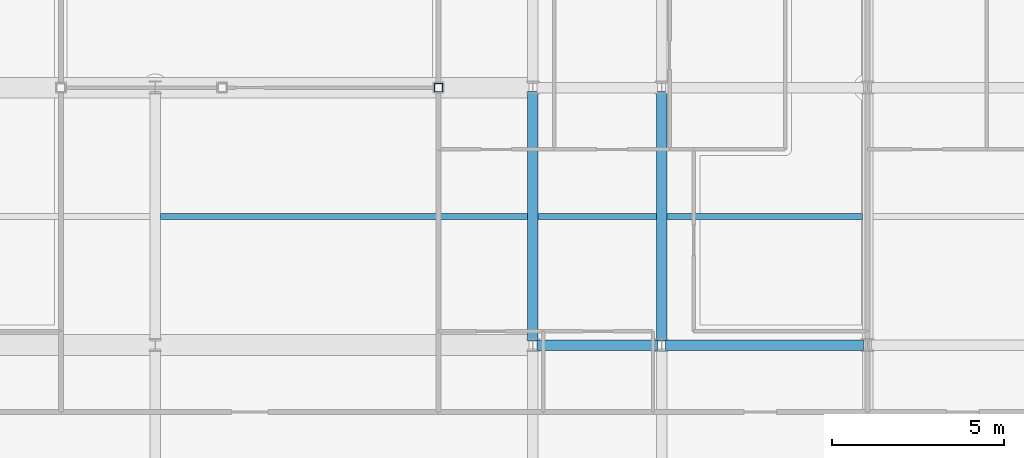
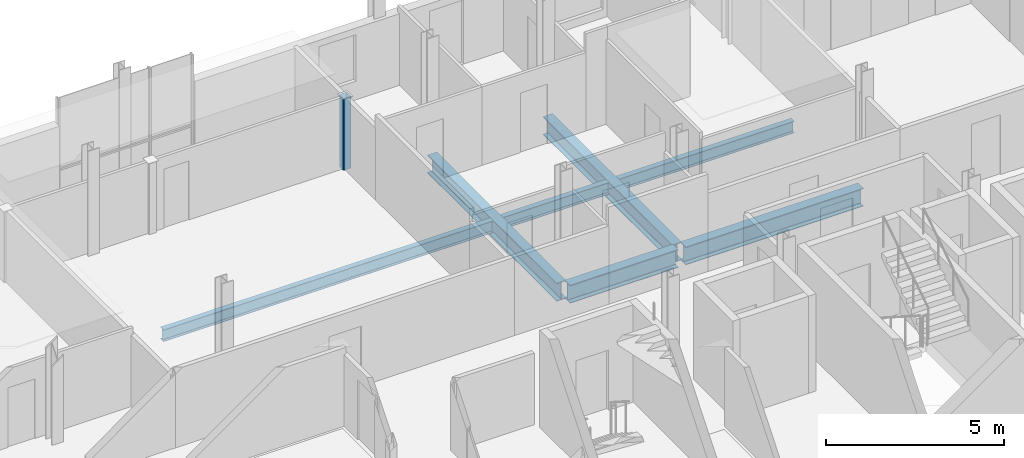
# One storey, part 15 of 35: 7 beams, 1 member.
"""IFC4 building model written with IfcOpenShell, lengths in metres."""

from ifc_helpers import new_model, si_unit, direction, frame, origin, origin_2d, place, context, subcontext, project, spatial, hollow_rectangle, i_section, extrude, material, material_profile, profile_set, type_object, element, save


model = new_model("IFC4")

# Units and contexts
model_context = context("Model", 3, precision=1e-05, world=origin(), true_north=direction((0.0, 1.0)))
body_context = subcontext(model_context, "Body", "Model", "MODEL_VIEW")
ifc_project = project(units=[si_unit("LENGTHUNIT", "METRE"), si_unit("AREAUNIT", "SQUARE_METRE"), si_unit("VOLUMEUNIT", "CUBIC_METRE"), si_unit("PLANEANGLEUNIT", "RADIAN"), si_unit("MASSUNIT", "GRAM", prefix="KILO")], contexts=[model_context])

# Site, building, storey
site_placement = place(None, origin())
site = spatial("IfcSite", under=ifc_project, at=site_placement, CompositionType="ELEMENT")
building_placement = place(site_placement, origin())
building = spatial("IfcBuilding", under=site, at=building_placement, Name="Brevholm Reach", CompositionType="ELEMENT")
storey_placement = place(building_placement, frame((0.0, 0.0, 214.39990234375)))
storey = spatial("IfcBuildingStorey", under=building, at=storey_placement, Name="L65", CompositionType="ELEMENT", Elevation=214.39990234375)

# Beams
ifc_material_1 = material(Name="Structural Steel S355J2", Category="steel")
ifc_material_profile_1 = material_profile(ifc_material_1, i_section(OverallWidth=0.177978515625, OverallDepth=0.406494140625, WebThickness=0.0078125, FlangeThickness=0.0126953125, FilletRadius=0.01025390625, at=origin_2d()), Name="UKB 406x178x60")
ifc_profile_set_1 = profile_set([ifc_material_profile_1], Name="Structural Steel S355J2")
beam_type_1 = type_object("IfcBeamType", Name="BM-B406", PredefinedType="BEAM", material=ifc_profile_set_1)
beam_1_placement = place(storey_placement, frame((27.403564453125, 19.75, -0.623046875), z_axis=(1.0, 0.0, 0.0), x_axis=(0.0, 1.0, 0.0)))
element("IfcBeam", 1, at=beam_1_placement, inside=storey, type_object=beam_type_1, Name="L65 Composite Secondary Floor Beam", PredefinedType="BEAM", context=body_context, shape_type="SweptSolid", body=[
    extrude(i_section(OverallWidth=0.177978515625, OverallDepth=0.406494140625, WebThickness=0.0078125, FlangeThickness=0.0126953125, FilletRadius=0.01025390625, at=origin_2d()), origin(), (0.0, 0.0, 1.0), 10.69287109375),
])
beam_2_placement = place(storey_placement, frame((38.403564453125, 19.75, -0.623046875), z_axis=(1.0, 0.0, 0.0), x_axis=(0.0, 1.0, 0.0)))
element("IfcBeam", 2, at=beam_2_placement, inside=storey, type_object=beam_type_1, Name="L65 Composite Secondary Floor Beam", PredefinedType="BEAM", context=body_context, shape_type="SweptSolid", body=[
    extrude(i_section(OverallWidth=0.177978515625, OverallDepth=0.406494140625, WebThickness=0.0078125, FlangeThickness=0.0126953125, FilletRadius=0.01025390625, at=origin_2d()), origin(), (0.0, 0.0, 1.0), 3.44287109375),
])
beam_3_placement = place(storey_placement, frame((42.153564453125, 19.75, -0.623046875), z_axis=(1.0, 0.0, 0.0), x_axis=(0.0, 1.0, 0.0)))
element("IfcBeam", 3, at=beam_3_placement, inside=storey, type_object=beam_type_1, Name="L65 Composite Secondary Floor Beam", PredefinedType="BEAM", context=body_context, shape_type="SweptSolid", body=[
    extrude(i_section(OverallWidth=0.177978515625, OverallDepth=0.406494140625, WebThickness=0.0078125, FlangeThickness=0.0126953125, FilletRadius=0.01025390625, at=origin_2d()), origin(), (0.0, 0.0, 1.0), 5.69287109375),
])
ifc_material_2 = material(Name="Structural Steel S355J2", Category="steel")
ifc_material_profile_2 = material_profile(ifc_material_2, i_section(OverallWidth=0.30712890625, OverallDepth=0.6201171875, WebThickness=0.01416015625, FlangeThickness=0.023681640625, FilletRadius=0.0166015625, at=origin_2d()), Name="UKB 610x305x179")
ifc_profile_set_2 = profile_set([ifc_material_profile_2], Name="Structural Steel S355J2")
beam_type_2 = type_object("IfcBeamType", Name="BM-UKB610H", PredefinedType="USERDEFINED", material=ifc_profile_set_2)
beam_4_placement = place(storey_placement, frame((38.3701171875, 16.0, -0.72998046875), z_axis=(1.0, 0.0, 0.0), x_axis=(0.0, 1.0, 0.0)))
element("IfcBeam", 4, at=beam_4_placement, inside=storey, type_object=beam_type_2, Name="L65 G-06 Framing Beam", ObjectType="GIRDER", PredefinedType="USERDEFINED", context=body_context, shape_type="SweptSolid", body=[
    extrude(i_section(OverallWidth=0.30712890625, OverallDepth=0.6201171875, WebThickness=0.01416015625, FlangeThickness=0.023681640625, FilletRadius=0.0166015625, at=origin_2d()), origin(), (0.0, 0.0, 1.0), 3.509765625),
])
beam_5_placement = place(storey_placement, frame((42.1201171875, 16.0, -0.72998046875), z_axis=(1.0, 0.0, 0.0), x_axis=(0.0, 1.0, 0.0)))
element("IfcBeam", 5, at=beam_5_placement, inside=storey, type_object=beam_type_2, Name="L65 G-06 Framing Beam", ObjectType="GIRDER", PredefinedType="USERDEFINED", context=body_context, shape_type="SweptSolid", body=[
    extrude(i_section(OverallWidth=0.30712890625, OverallDepth=0.6201171875, WebThickness=0.01416015625, FlangeThickness=0.023681640625, FilletRadius=0.0166015625, at=origin_2d()), origin(), (0.0, 0.0, 1.0), 5.759765625),
])
for number, where, z_axis, x_axis, name in (
    (6, (38.25, 16.1201171875, -0.72998046875), (0.0, 1.0, 0.0), (-1.0, 0.0, 0.0), "L65 G-06 Framing Beam"),
    (7, (42.0, 16.1201171875, -0.72998046875), (0.0, 1.0, 0.0), (-1.0, 0.0, 0.0), "L65 G-06 Framing Beam"),
):
    element("IfcBeam", number, at=place(storey_placement, frame(where, z_axis=z_axis, x_axis=x_axis)), inside=storey, type_object=beam_type_2, Name=name, ObjectType="GIRDER", PredefinedType="USERDEFINED", context=body_context, shape_type="SweptSolid", body=[
        extrude(i_section(OverallWidth=0.30712890625, OverallDepth=0.6201171875, WebThickness=0.01416015625, FlangeThickness=0.023681640625, FilletRadius=0.0166015625, at=origin_2d()), origin(), (0.0, 0.0, 1.0), 7.259765625),
    ])

# Member
ifc_material_3 = material(Name="Structural Steel S355J2H", Category="steel")
ifc_material_profile_3 = material_profile(ifc_material_3, hollow_rectangle(XDim=0.25, YDim=0.25, WallThickness=0.010009765625, InnerFilletRadius=0.010009765625, OuterFilletRadius=0.02001953125, at=origin_2d()), Name="SHS 250x250x10")
ifc_profile_set_3 = profile_set([ifc_material_profile_3], Name="Structural Steel S355J2H")
member_type = type_object("IfcMemberType", Name="MEM-ST-SHS250", PredefinedType="STRUT", material=ifc_profile_set_3)
member_placement = place(storey_placement, frame((35.5, 23.5, 0.0), z_axis=(0.0, 0.0, 1.0), x_axis=(1.0, 0.0, 0.0)))
element("IfcMember", 8, at=member_placement, inside=storey, type_object=member_type, Name="L65 Portal Vierendeel Post 3", PredefinedType="STRUT", context=body_context, shape_type="SweptSolid", body=[
    extrude(hollow_rectangle(XDim=0.25, YDim=0.25, WallThickness=0.010009765625, InnerFilletRadius=0.010009765625, OuterFilletRadius=0.02001953125, at=origin_2d()), origin(), (0.0, 0.0, 1.0), 2.464111328125),
])

save(model, "model.ifc")
